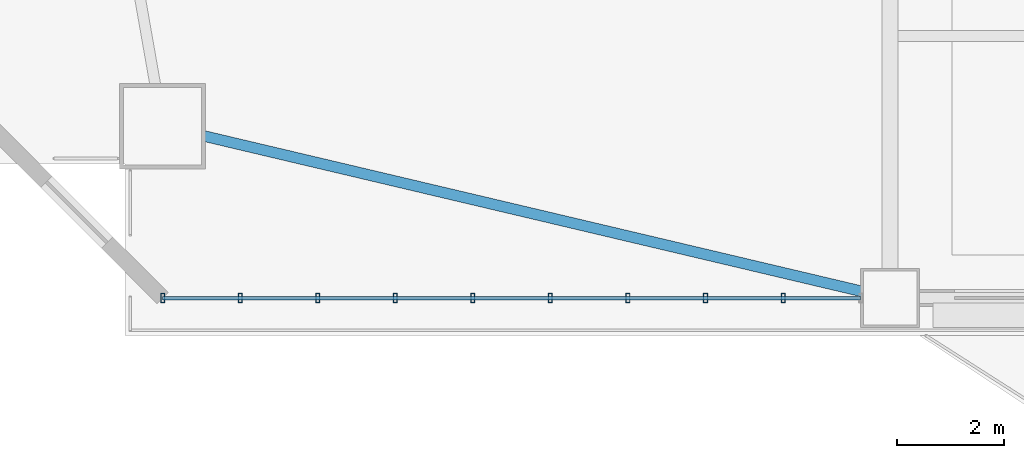
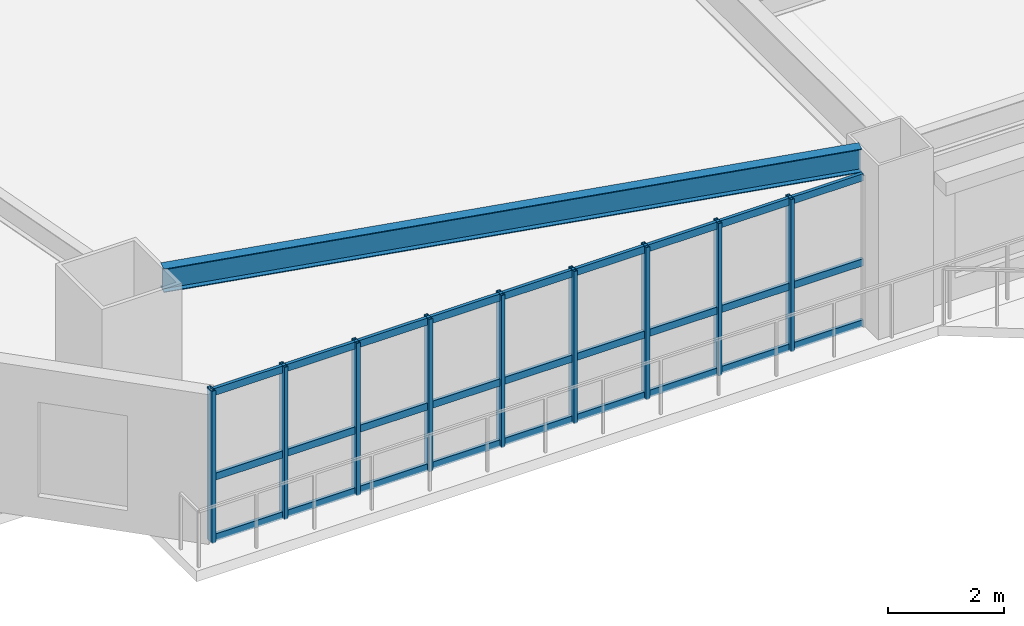
# One storey, part 2 of 17: 12 members, 1 beam, 1 element without a shape of its own.
"""IFC4 building model written with IfcOpenShell, lengths in metres."""

import ifcopenshell
import ifcopenshell.guid

model = None  # the IFC model being written
_history = None  # IfcOwnerHistory: only IFC2X3 demands one
_inside = {}  # id of a spatial element -> (the spatial element, [elements in it])
_under = {}  # id of a project, library or spatial element -> (it, [spatial elements below it])
_declared = {}  # id of a project -> (the project, [libraries it declares])
_typed = {}  # id of a type object -> (the type object, [elements of that type])
_made_of = {}  # id of a material, layer set ... -> (it, [elements and type objects made of it])


def new_model(schema):
    """Start an empty IFC model of exactly this schema.

    Asked for "IFC4X3", IfcOpenShell would pick the latest addendum, in which some entities
    have other attributes; the version numbers below select the first issue.
    IFC2X3 requires an IfcOwnerHistory on every rooted entity: one is made here for all.
    """
    global model, _history
    if schema == "IFC4X3":
        model = ifcopenshell.file(schema_version=(4, 3, 0, 0))
    else:
        model = ifcopenshell.file(schema=schema)
    _inside.clear()
    _under.clear()
    _declared.clear()
    _typed.clear()
    _made_of.clear()
    _history = None
    if model.schema == "IFC2X3":
        org = make("IfcOrganization", Name="unknown")
        user = make(
            "IfcPersonAndOrganization",
            ThePerson=make("IfcPerson", FamilyName="unknown"),
            TheOrganization=org,
        )
        app = make(
            "IfcApplication",
            ApplicationDeveloper=org,
            Version="unknown",
            ApplicationFullName="unknown",
            ApplicationIdentifier="unknown",
        )
        _history = make(
            "IfcOwnerHistory",
            OwningUser=user,
            OwningApplication=app,
            ChangeAction="ADDED",
            CreationDate=0,
        )
    return model


def make(cls, **values):
    """One entity of the class cls with the attributes given. An attribute that is None is left unset."""
    return model.create_entity(
        cls, **{name: value for name, value in values.items() if value is not None}
    )


def rooted(cls, **values):
    """An entity with a GlobalId (a new one), such as an element, a storey or a relation."""
    return make(cls, GlobalId=ifcopenshell.guid.new(), OwnerHistory=_history, **values)


def si_unit(unit_type, name, prefix=None):
    """IfcSIUnit, for example si_unit("LENGTHUNIT", "METRE", prefix="MILLI")."""
    return make("IfcSIUnit", UnitType=unit_type, Prefix=prefix, Name=name)


def assignment(units):
    """IfcUnitAssignment: the units of a project."""
    return None if units is None else make("IfcUnitAssignment", Units=units)


def point(xyz):
    """IfcCartesianPoint."""
    return None if xyz is None else make("IfcCartesianPoint", Coordinates=xyz)


def direction(xyz):
    """IfcDirection."""
    return None if xyz is None else make("IfcDirection", DirectionRatios=xyz)


def frame(location, z_axis=None, x_axis=None):
    """IfcAxis2Placement3D, a coordinate frame: its origin and axes. An axis left out is left unset."""
    return make(
        "IfcAxis2Placement3D",
        Location=point(location),
        Axis=direction(z_axis),
        RefDirection=direction(x_axis),
    )


def frame_2d(location, x_axis=None):
    """IfcAxis2Placement2D, a coordinate frame in the plane: its origin and x axis."""
    return make(
        "IfcAxis2Placement2D", Location=point(location), RefDirection=direction(x_axis)
    )


def origin():
    """The frame at (0, 0, 0) with its axes left unset."""
    return frame((0.0, 0.0, 0.0))


def origin_2d():
    """The frame at (0, 0) in the plane with its x axis left unset."""
    return frame_2d((0.0, 0.0))


def place(relative_to, where):
    """IfcLocalPlacement: puts the frame where relative to a parent placement (None: the world)."""
    return make(
        "IfcLocalPlacement", PlacementRelTo=relative_to, RelativePlacement=where
    )


def context(
    kind, dimensions, precision=None, world=None, true_north=None, identifier=None
):
    """IfcGeometricRepresentationContext, for example the 3D "Model" context."""
    return make(
        "IfcGeometricRepresentationContext",
        ContextIdentifier=identifier,
        ContextType=kind,
        CoordinateSpaceDimension=dimensions,
        Precision=precision,
        WorldCoordinateSystem=world,
        TrueNorth=true_north,
    )


def subcontext(parent, identifier, kind, view, scale=None):
    """IfcGeometricRepresentationSubContext, for example "Body" below "Model"."""
    return make(
        "IfcGeometricRepresentationSubContext",
        ContextIdentifier=identifier,
        ContextType=kind,
        ParentContext=parent,
        TargetScale=scale,
        TargetView=view,
    )


def project(units=None, contexts=None):
    """IfcProject with its units and contexts."""
    return rooted(
        "IfcProject",
        Name="project",
        RepresentationContexts=contexts,
        UnitsInContext=assignment(units),
    )


def spatial(cls, under=None, at=None, **own):
    """A site, building, storey or space (cls), placed at a placement, below another one or the project."""
    s = rooted(cls, ObjectPlacement=at, **own)
    if under is not None:
        _under.setdefault(under.id(), (under, []))[1].append(s)
    return s


def profile(cls, at=None, kind="AREA", **sizes):
    """A parametric profile (cls). Its sizes go by their IFC names, for example OverallWidth=200.0."""
    return make(cls, ProfileType=kind, Position=at, **sizes)


def hollow_rectangle(**sizes):
    """IfcRectangleHollowProfileDef."""
    return profile("IfcRectangleHollowProfileDef", **sizes)


def i_section(**sizes):
    """IfcIShapeProfileDef."""
    return profile("IfcIShapeProfileDef", **sizes)


def extrude(swept, where, along, depth):
    """IfcExtrudedAreaSolid: the profile swept, set in the frame where, extruded along a direction by depth."""
    return make(
        "IfcExtrudedAreaSolid",
        SweptArea=swept,
        Position=where,
        ExtrudedDirection=direction(along),
        Depth=depth,
    )


def shape(context_of_items, identifier, shape_type, items):
    """IfcShapeRepresentation: the items that make up one representation, for example the "Body"."""
    return make(
        "IfcShapeRepresentation",
        ContextOfItems=context_of_items,
        RepresentationIdentifier=identifier,
        RepresentationType=shape_type,
        Items=items,
    )


def source(mapping_origin, context_of_items, identifier, shape_type, items):
    """IfcRepresentationMap: a shape defined once, which mapped items show again and again."""
    return make(
        "IfcRepresentationMap",
        MappingOrigin=mapping_origin,
        MappedRepresentation=shape(context_of_items, identifier, shape_type, items),
    )


def transform(
    local_origin,
    x_axis=None,
    y_axis=None,
    z_axis=None,
    scale=None,
    scale2=None,
    scale3=None,
    uniform=True,
):
    """IfcCartesianTransformationOperator3D, or its non-uniform kind. x_axis, y_axis, z_axis: its Axis1, 2, 3."""
    if uniform:
        return make(
            "IfcCartesianTransformationOperator3D",
            Axis1=direction(x_axis),
            Axis2=direction(y_axis),
            LocalOrigin=point(local_origin),
            Scale=scale,
            Axis3=direction(z_axis),
        )
    return make(
        "IfcCartesianTransformationOperator3DnonUniform",
        Axis1=direction(x_axis),
        Axis2=direction(y_axis),
        LocalOrigin=point(local_origin),
        Scale=scale,
        Axis3=direction(z_axis),
        Scale2=scale2,
        Scale3=scale3,
    )


def mapped(mapping_source, mapping_target):
    """IfcMappedItem: shows the shape of a source again, moved by a transform."""
    return make(
        "IfcMappedItem", MappingSource=mapping_source, MappingTarget=mapping_target
    )


def material(Name=None, Category=None):
    """IfcMaterial."""
    return make("IfcMaterial", Name=Name, Category=Category)


def layer(
    of_material, thickness, ventilated=None, Name=None, Category=None, Priority=None
):
    """IfcMaterialLayer: one layer of a wall or slab, of a material (None: an air gap)."""
    return make(
        "IfcMaterialLayer",
        Material=of_material,
        LayerThickness=thickness,
        IsVentilated=ventilated,
        Name=Name,
        Category=Category,
        Priority=Priority,
    )


def layer_set(layers, Name=None):
    """IfcMaterialLayerSet."""
    return make("IfcMaterialLayerSet", MaterialLayers=layers, LayerSetName=Name)


def material_profile(
    of_material, cross_section, Name=None, Category=None, Priority=None
):
    """IfcMaterialProfile: a cross section and its material."""
    return make(
        "IfcMaterialProfile",
        Name=Name,
        Material=of_material,
        Profile=cross_section,
        Priority=Priority,
        Category=Category,
    )


def profile_set(profiles, Name=None, composite=None):
    """IfcMaterialProfileSet."""
    return make(
        "IfcMaterialProfileSet",
        Name=Name,
        MaterialProfiles=profiles,
        CompositeProfile=composite,
    )


def made_of(thing, what):
    """Note that an element or type object is made of a material, layer set ...; save() writes the relation."""
    if what is not None:
        _made_of.setdefault(what.id(), (what, []))[1].append(thing)
    return thing


def type_object(cls, material=None, **own):
    """A type object (cls), such as IfcWallType, which elements share."""
    return made_of(rooted(cls, **own), material)


def element(
    cls,
    number,
    at=None,
    inside=None,
    cuts=None,
    type_object=None,
    material=None,
    context=None,
    identifier="Body",
    shape_type=None,
    held_by="IfcProductDefinitionShape",
    body=None,
    shapes=None,
    **own,
):
    """One element of the class cls, such as IfcWall. Its Tag is "e" and its number.

    at: its placement. inside: the storey or other place that contains it. cuts: it is an
    opening in that element (IfcRelVoidsElement). A single representation is given by context,
    identifier, shape_type and body (its items); several are given by shapes. held_by: the class
    of the entity that holds the representations. save() writes the other relations.
    """
    e = rooted(cls, Tag="e%d" % number, ObjectPlacement=at, **own)
    if body is not None:
        shapes = [shape(context, identifier, shape_type, body)]
    if shapes is not None:
        e.Representation = make(held_by, Representations=shapes)
    if inside is not None:
        _inside.setdefault(inside.id(), (inside, []))[1].append(e)
    if cuts is not None:
        rooted(
            "IfcRelVoidsElement", RelatingBuildingElement=cuts, RelatedOpeningElement=e
        )
    if type_object is not None:
        _typed.setdefault(type_object.id(), (type_object, []))[1].append(e)
    return made_of(e, material)


def aggregate(whole, parts):
    """IfcRelAggregates: a whole, such as a stair, and the parts it consists of."""
    return rooted("IfcRelAggregates", RelatingObject=whole, RelatedObjects=parts)


def save(model, path):
    """Write the relations noted so far, then the file.

    IfcRelAggregates (storeys below a building ...), IfcRelContainedInSpatialStructure (elements
    in a storey), IfcRelDefinesByType, IfcRelAssociatesMaterial and IfcRelDeclares: one each for
    every whole, place, type object, material and project.
    """
    for whole, parts in _under.values():
        aggregate(whole, parts)
    for where, things in _inside.values():
        rooted(
            "IfcRelContainedInSpatialStructure",
            RelatedElements=things,
            RelatingStructure=where,
        )
    for kind, things in _typed.values():
        rooted("IfcRelDefinesByType", RelatedObjects=things, RelatingType=kind)
    for what, things in _made_of.values():
        rooted("IfcRelAssociatesMaterial", RelatedObjects=things, RelatingMaterial=what)
    for by, libraries in _declared.values():
        rooted("IfcRelDeclares", RelatingContext=by, RelatedDefinitions=libraries)
    model.write(path)


model = new_model("IFC4")

# Units and contexts
model_context = context("Model", 3, precision=1e-05, world=origin(), true_north=direction((0.0, 1.0)))
body_context = subcontext(model_context, "Body", "Model", "MODEL_VIEW")
ifc_project = project(units=[si_unit("LENGTHUNIT", "METRE"), si_unit("AREAUNIT", "SQUARE_METRE"), si_unit("VOLUMEUNIT", "CUBIC_METRE"), si_unit("PLANEANGLEUNIT", "RADIAN"), si_unit("MASSUNIT", "GRAM", prefix="KILO")], contexts=[model_context])

# Site, building, storey
site_placement = place(None, origin())
site = spatial("IfcSite", under=ifc_project, at=site_placement, CompositionType="ELEMENT")
building_placement = place(site_placement, origin())
building = spatial("IfcBuilding", under=site, at=building_placement, Name="Giltprow Tower", CompositionType="ELEMENT")
storey_placement = place(building_placement, frame((0.0, 0.0, 29.300048828125)))
storey = spatial("IfcBuildingStorey", under=building, at=storey_placement, Name="L07", CompositionType="ELEMENT", Elevation=29.300048828125)

# Beam
ifc_material_1 = material(Name="Structural steel Q355B", Category="steel")
ifc_material_profile_1 = material_profile(ifc_material_1, i_section(OverallWidth=0.199951171875, OverallDepth=0.5, WebThickness=0.010009765625, FlangeThickness=0.01611328125, at=origin_2d()), Name="HN 500x200x10x16")
ifc_profile_set_1 = profile_set([ifc_material_profile_1], Name="Structural steel Q355B")
beam_type = type_object("IfcBeamType", Name="BM-SPAN-HN500", PredefinedType="SPANDREL", material=ifc_profile_set_1)
shared_shape_1 = source(origin(), body_context, "Body", "SweptSolid", [
    extrude(i_section(OverallWidth=0.199951171875, OverallDepth=0.5, WebThickness=0.010009765625, FlangeThickness=0.01611328125, at=origin_2d()), origin(), (0.0, 0.0, 1.0), 12.6025390625),
])
beam_placement = place(storey_placement, frame((7.06396484375, 6.320068359375, 3.429931640625), z_axis=(0.973221185684, -0.22987066741, 0.0), x_axis=(0.22987066741, 0.973221185684, 0.0)))
element("IfcBeam", 1, at=beam_placement, inside=storey, type_object=beam_type, Name="L07 Perimeter Spandrel Beam MC_SW-S1", PredefinedType="SPANDREL", context=body_context, shape_type="MappedRepresentation", body=[
    mapped(shared_shape_1, transform((0.0, 0.0, 0.0), x_axis=(1.0, 0.0, 0.0), y_axis=(0.0, 1.0, 0.0), z_axis=(0.0, 0.0, 1.0), scale=1.0)),
])

# Curtain wall, members
ifc_material_2 = material(Name="Anodized bronze", Category="metal")
ifc_layer = layer(ifc_material_2, 0.179931640625, Name="Anodized bronze")
ifc_layer_set = layer_set([ifc_layer], Name="Anodized bronze")
curtain_wall_type = type_object("IfcCurtainWallType", Name="CW-OFF-RECESSED", PredefinedType="NOTDEFINED", material=ifc_layer_set)
curtain_wall_placement = place(storey_placement, origin())
curtain_wall = element("IfcCurtainWall", 2, at=curtain_wall_placement, inside=storey, type_object=curtain_wall_type, Name="L07 South Recessed Curtain Wall 1", PredefinedType="NOTDEFINED")
ifc_material_profile_2 = material_profile(ifc_material_2, hollow_rectangle(XDim=0.074951171875, YDim=0.179931640625, WallThickness=0.008056640625, at=origin_2d()), Name="RHS 180x75x8")
ifc_profile_set_2 = profile_set([ifc_material_profile_2], Name="Anodized bronze")
member_type_1 = type_object("IfcMemberType", Name="CW-MULLION-180x75", PredefinedType="MULLION", material=ifc_profile_set_2)
shared_shape_2 = source(origin(), body_context, "Body", "SweptSolid", [
    extrude(hollow_rectangle(XDim=0.074951171875, YDim=0.179931640625, WallThickness=0.008056640625, at=origin_2d()), origin(), (0.0, 0.0, 1.0), 3.215087890625),
])
member_1_placement = place(storey_placement, frame((6.300048828125, 3.300048828125, -0.02001953125), z_axis=(0.0, 0.0, 1.0), x_axis=(1.0, 0.0, 0.0)))
member_1 = element("IfcMember", 3, at=member_1_placement, type_object=member_type_1, Name="L07 South Recessed Curtain Wall 1 Mullion 1", PredefinedType="MULLION", context=body_context, shape_type="MappedRepresentation", body=[
    mapped(shared_shape_2, transform((0.0, 0.0, 0.0), x_axis=(1.0, 0.0, 0.0), y_axis=(0.0, 1.0, 0.0), z_axis=(0.0, 0.0, 1.0), scale=1.0)),
])
member_2_placement = place(storey_placement, frame((7.743896484375, 3.300048828125, -0.02001953125), z_axis=(0.0, 0.0, 1.0), x_axis=(1.0, 0.0, 0.0)))
member_2 = element("IfcMember", 4, at=member_2_placement, type_object=member_type_1, Name="L07 South Recessed Curtain Wall 1 Mullion 2", PredefinedType="MULLION", context=body_context, shape_type="MappedRepresentation", body=[
    mapped(shared_shape_2, transform((0.0, 0.0, 0.0), x_axis=(1.0, 0.0, 0.0), y_axis=(0.0, 1.0, 0.0), z_axis=(0.0, 0.0, 1.0), scale=1.0)),
])
member_3_placement = place(storey_placement, frame((9.18896484375, 3.300048828125, -0.02001953125), z_axis=(0.0, 0.0, 1.0), x_axis=(1.0, 0.0, 0.0)))
member_3 = element("IfcMember", 5, at=member_3_placement, type_object=member_type_1, Name="L07 South Recessed Curtain Wall 1 Mullion 3", PredefinedType="MULLION", context=body_context, shape_type="MappedRepresentation", body=[
    mapped(shared_shape_2, transform((0.0, 0.0, 0.0), x_axis=(1.0, 0.0, 0.0), y_axis=(0.0, 1.0, 0.0), z_axis=(0.0, 0.0, 1.0), scale=1.0)),
])
member_4_placement = place(storey_placement, frame((10.633056640625, 3.300048828125, -0.02001953125), z_axis=(0.0, 0.0, 1.0), x_axis=(1.0, 0.0, 0.0)))
member_4 = element("IfcMember", 6, at=member_4_placement, type_object=member_type_1, Name="L07 South Recessed Curtain Wall 1 Mullion 4", PredefinedType="MULLION", context=body_context, shape_type="MappedRepresentation", body=[
    mapped(shared_shape_2, transform((0.0, 0.0, 0.0), x_axis=(1.0, 0.0, 0.0), y_axis=(0.0, 1.0, 0.0), z_axis=(0.0, 0.0, 1.0), scale=1.0)),
])
member_5_placement = place(storey_placement, frame((12.077880859375, 3.300048828125, -0.02001953125), z_axis=(0.0, 0.0, 1.0), x_axis=(1.0, 0.0, 0.0)))
member_5 = element("IfcMember", 7, at=member_5_placement, type_object=member_type_1, Name="L07 South Recessed Curtain Wall 1 Mullion 5", PredefinedType="MULLION", context=body_context, shape_type="MappedRepresentation", body=[
    mapped(shared_shape_2, transform((0.0, 0.0, 0.0), x_axis=(1.0, 0.0, 0.0), y_axis=(0.0, 1.0, 0.0), z_axis=(0.0, 0.0, 1.0), scale=1.0)),
])
member_6_placement = place(storey_placement, frame((13.52197265625, 3.300048828125, -0.02001953125), z_axis=(0.0, 0.0, 1.0), x_axis=(1.0, 0.0, 0.0)))
member_6 = element("IfcMember", 8, at=member_6_placement, type_object=member_type_1, Name="L07 South Recessed Curtain Wall 1 Mullion 6", PredefinedType="MULLION", context=body_context, shape_type="MappedRepresentation", body=[
    mapped(shared_shape_2, transform((0.0, 0.0, 0.0), x_axis=(1.0, 0.0, 0.0), y_axis=(0.0, 1.0, 0.0), z_axis=(0.0, 0.0, 1.0), scale=1.0)),
])
member_7_placement = place(storey_placement, frame((14.967041015625, 3.300048828125, -0.02001953125), z_axis=(0.0, 0.0, 1.0), x_axis=(1.0, 0.0, 0.0)))
member_7 = element("IfcMember", 9, at=member_7_placement, type_object=member_type_1, Name="L07 South Recessed Curtain Wall 1 Mullion 7", PredefinedType="MULLION", context=body_context, shape_type="MappedRepresentation", body=[
    mapped(shared_shape_2, transform((0.0, 0.0, 0.0), x_axis=(1.0, 0.0, 0.0), y_axis=(0.0, 1.0, 0.0), z_axis=(0.0, 0.0, 1.0), scale=1.0)),
])
member_8_placement = place(storey_placement, frame((16.410888671875, 3.300048828125, -0.02001953125), z_axis=(0.0, 0.0, 1.0), x_axis=(1.0, 0.0, 0.0)))
member_8 = element("IfcMember", 10, at=member_8_placement, type_object=member_type_1, Name="L07 South Recessed Curtain Wall 1 Mullion 8", PredefinedType="MULLION", context=body_context, shape_type="MappedRepresentation", body=[
    mapped(shared_shape_2, transform((0.0, 0.0, 0.0), x_axis=(1.0, 0.0, 0.0), y_axis=(0.0, 1.0, 0.0), z_axis=(0.0, 0.0, 1.0), scale=1.0)),
])
member_9_placement = place(storey_placement, frame((17.85595703125, 3.300048828125, -0.02001953125), z_axis=(0.0, 0.0, 1.0), x_axis=(1.0, 0.0, 0.0)))
member_9 = element("IfcMember", 11, at=member_9_placement, type_object=member_type_1, Name="L07 South Recessed Curtain Wall 1 Mullion 9", PredefinedType="MULLION", context=body_context, shape_type="MappedRepresentation", body=[
    mapped(shared_shape_2, transform((0.0, 0.0, 0.0), x_axis=(1.0, 0.0, 0.0), y_axis=(0.0, 1.0, 0.0), z_axis=(0.0, 0.0, 1.0), scale=1.0)),
])
ifc_material_profile_3 = material_profile(ifc_material_2, hollow_rectangle(XDim=0.06494140625, YDim=0.14990234375, WallThickness=0.006103515625, at=origin_2d()), Name="RHS 150x65x6")
ifc_profile_set_3 = profile_set([ifc_material_profile_3], Name="Anodized bronze")
member_type_2 = type_object("IfcMemberType", Name="CW-TRANSOM-150x65", PredefinedType="USERDEFINED", material=ifc_profile_set_3)
shared_shape_3 = source(origin(), body_context, "Body", "SweptSolid", [
    extrude(hollow_rectangle(XDim=0.06494140625, YDim=0.14990234375, WallThickness=0.006103515625, at=origin_2d()), origin(), (0.0, 0.0, 1.0), 13.0),
])
member_10_placement = place(storey_placement, frame((6.300048828125, 3.300048828125, 0.0400390625), z_axis=(1.0, 0.0, 0.0), x_axis=(0.0, 1.0, 0.0)))
member_10 = element("IfcMember", 12, at=member_10_placement, type_object=member_type_2, Name="L07 South Recessed Curtain Wall 1 Transom 1", ObjectType="TRANSOM", PredefinedType="USERDEFINED", context=body_context, shape_type="MappedRepresentation", body=[
    mapped(shared_shape_3, transform((0.0, 0.0, 0.0), x_axis=(1.0, 0.0, 0.0), y_axis=(0.0, 1.0, 0.0), z_axis=(0.0, 0.0, 1.0), scale=1.0)),
])
member_11_placement = place(storey_placement, frame((6.300048828125, 3.300048828125, 1.326904296875), z_axis=(1.0, 0.0, 0.0), x_axis=(0.0, 1.0, 0.0)))
member_11 = element("IfcMember", 13, at=member_11_placement, type_object=member_type_2, Name="L07 South Recessed Curtain Wall 1 Transom 2", ObjectType="TRANSOM", PredefinedType="USERDEFINED", context=body_context, shape_type="MappedRepresentation", body=[
    mapped(shared_shape_3, transform((0.0, 0.0, 0.0), x_axis=(1.0, 0.0, 0.0), y_axis=(0.0, 1.0, 0.0), z_axis=(0.0, 0.0, 1.0), scale=1.0)),
])
member_12_placement = place(storey_placement, frame((6.300048828125, 3.300048828125, 3.119873046875), z_axis=(1.0, 0.0, 0.0), x_axis=(0.0, 1.0, 0.0)))
member_12 = element("IfcMember", 14, at=member_12_placement, type_object=member_type_2, Name="L07 South Recessed Curtain Wall 1 Transom 3", ObjectType="TRANSOM", PredefinedType="USERDEFINED", context=body_context, shape_type="MappedRepresentation", body=[
    mapped(shared_shape_3, transform((0.0, 0.0, 0.0), x_axis=(1.0, 0.0, 0.0), y_axis=(0.0, 1.0, 0.0), z_axis=(0.0, 0.0, 1.0), scale=1.0)),
])
aggregate(curtain_wall, [member_1, member_2, member_3, member_4, member_5, member_6, member_7, member_8, member_9, member_10, member_11, member_12])

save(model, "model.ifc")
